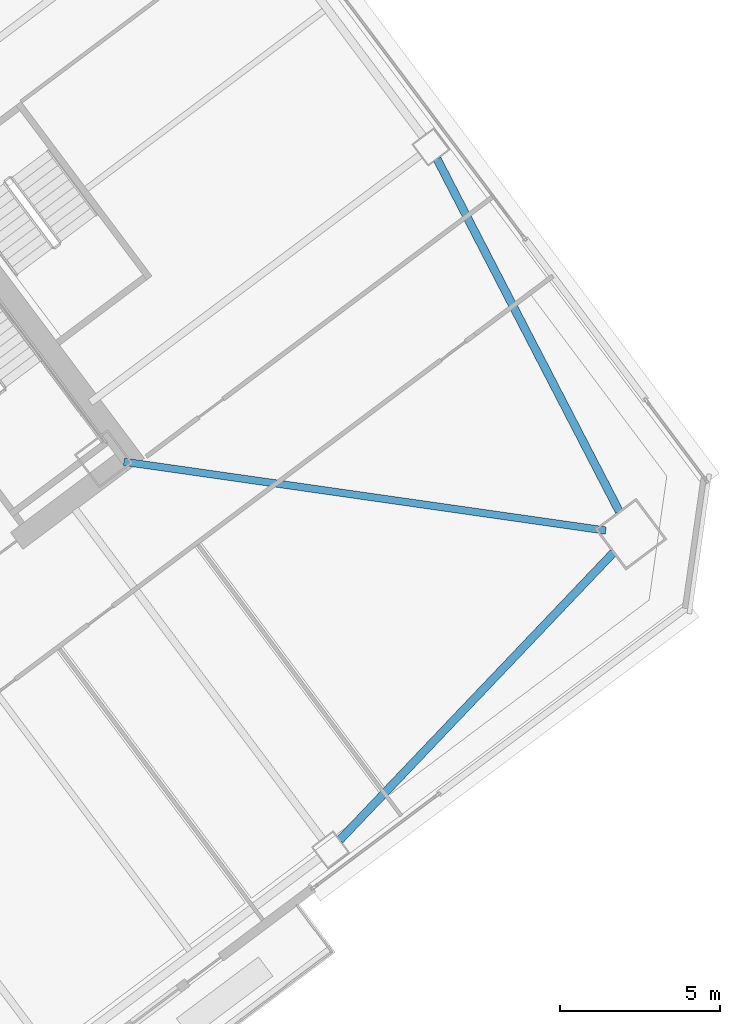
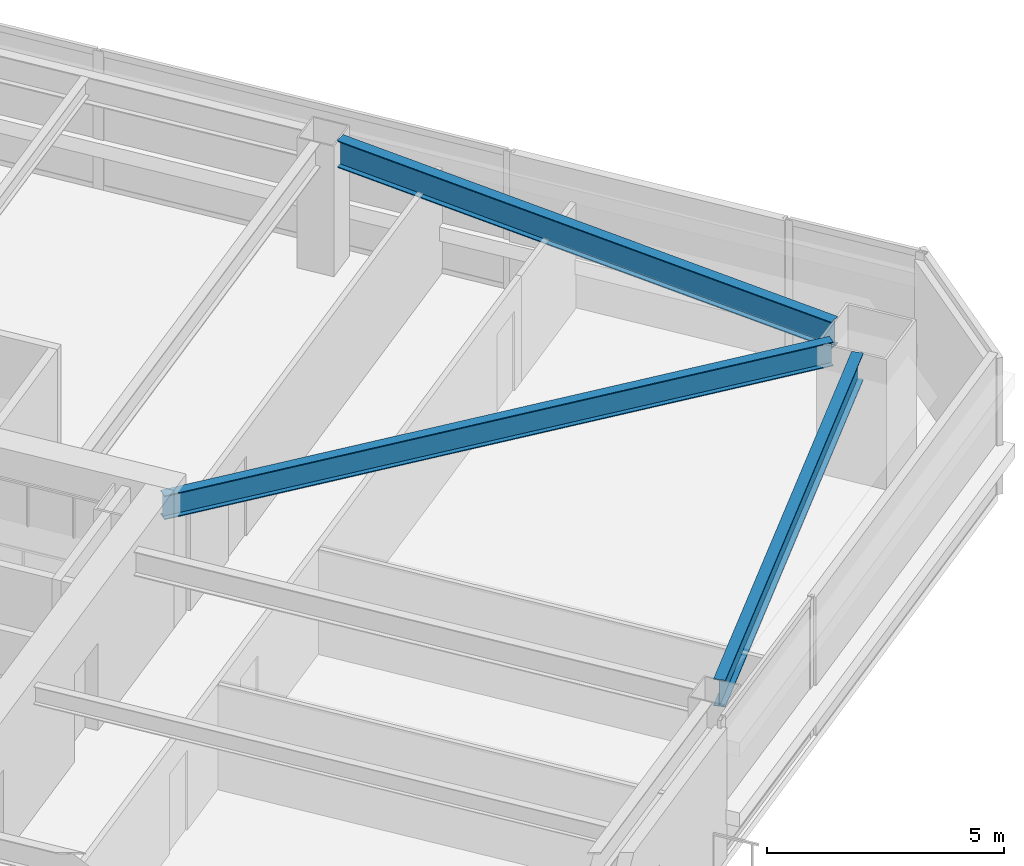
# One storey, part 27 of 48: 3 beams.
"""IFC4 building model written with IfcOpenShell, lengths in metres."""

from ifc_helpers import new_model, si_unit, direction, frame, origin, origin_2d, place, context, subcontext, project, spatial, i_section, extrude, material, material_profile, profile_set, type_object, element, save


model = new_model("IFC4")

# Units and contexts
model_context = context("Model", 3, precision=1e-05, world=origin(), true_north=direction((0.0, 1.0)))
body_context = subcontext(model_context, "Body", "Model", "MODEL_VIEW")
ifc_project = project(units=[si_unit("LENGTHUNIT", "METRE"), si_unit("AREAUNIT", "SQUARE_METRE"), si_unit("VOLUMEUNIT", "CUBIC_METRE"), si_unit("PLANEANGLEUNIT", "RADIAN"), si_unit("MASSUNIT", "GRAM", prefix="KILO")], contexts=[model_context])

# Site, building, storey
site_placement = place(None, origin())
site = spatial("IfcSite", under=ifc_project, at=site_placement, CompositionType="ELEMENT")
building_placement = place(site_placement, origin())
building = spatial("IfcBuilding", under=site, at=building_placement, Name="Tashvorn Skyway Center", CompositionType="ELEMENT")
storey_placement = place(building_placement, frame((0.0, 0.0, 53.0)))
storey = spatial("IfcBuildingStorey", under=building, at=storey_placement, Name="L13", CompositionType="ELEMENT", Elevation=53.0)

# Beams
ifc_material = material(Name="Steel ASTM A992 Grade 50", Category="steel")
ifc_material_profile_1 = material_profile(ifc_material, i_section(OverallWidth=0.22998046875, OverallDepth=0.616943359375, WebThickness=0.01318359375, FlangeThickness=0.022216796875, at=origin_2d()), Name="W24X94")
ifc_profile_set_1 = profile_set([ifc_material_profile_1], Name="Steel ASTM A992 Grade 50")
beam_type_1 = type_object("IfcBeamType", Name="BM-BEAM-W24X94", PredefinedType="BEAM", material=ifc_profile_set_1)
beam_placement = place(storey_placement, frame((139.532958984375, 28.3525390625, 3.04150390625), z_axis=(-0.989950458816, 0.141414599991, 0.0), x_axis=(-0.141414599991, -0.989950458816, 0.0)))
element("IfcBeam", 1, at=beam_placement, inside=storey, type_object=beam_type_1, Name="Tower 2 L13 Primary Floor Girder MC-SE", PredefinedType="BEAM", context=body_context, shape_type="SweptSolid", body=[
    extrude(i_section(OverallWidth=0.22998046875, OverallDepth=0.616943359375, WebThickness=0.01318359375, FlangeThickness=0.022216796875, at=origin_2d()), origin(), (0.0, 0.0, 1.0), 15.177001953125),
])
ifc_material_profile_2 = material_profile(ifc_material, i_section(OverallWidth=0.256103515625, OverallDepth=0.693115234375, WebThickness=0.014404296875, FlangeThickness=0.023681640625, at=origin_2d()), Name="W27X114")
ifc_profile_set_2 = profile_set([ifc_material_profile_2], Name="Steel ASTM A992 Grade 50")
beam_type_2 = type_object("IfcBeamType", Name="BM-SPANDREL-W27X114", PredefinedType="SPANDREL", material=ifc_profile_set_2)
for number, where, z_axis, x_axis, name in (
    (2, (131.23974609375, 18.7041015625, 3.00341796875), (0.689589637236, 0.724200339835, 0.0), (-0.724200339835, 0.689589637236, 0.0), "Tower 2 L13 Spandrel Beam 03"),
    (3, (139.954833984375, 28.9462890625, 3.00341796875), (-0.459233413919, 0.888315637339, 0.0), (-0.888315637339, -0.459233413919, 0.0), "Tower 2 L13 Spandrel Beam 04"),
):
    element("IfcBeam", number, at=place(storey_placement, frame(where, z_axis=z_axis, x_axis=x_axis)), inside=storey, type_object=beam_type_2, Name=name, PredefinedType="SPANDREL", context=body_context, shape_type="SweptSolid", body=[
        extrude(i_section(OverallWidth=0.256103515625, OverallDepth=0.693115234375, WebThickness=0.014404296875, FlangeThickness=0.023681640625, at=origin_2d()), origin(), (0.0, 0.0, 1.0), 12.37255859375),
    ])

save(model, "model.ifc")
